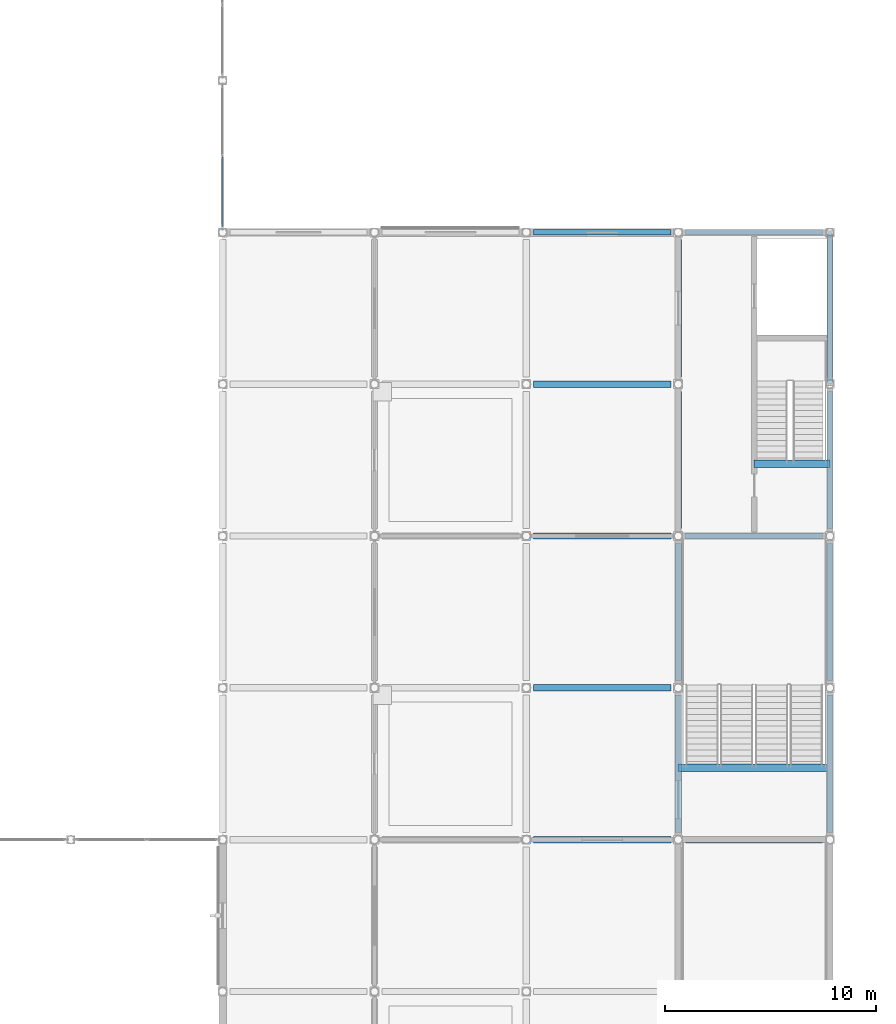
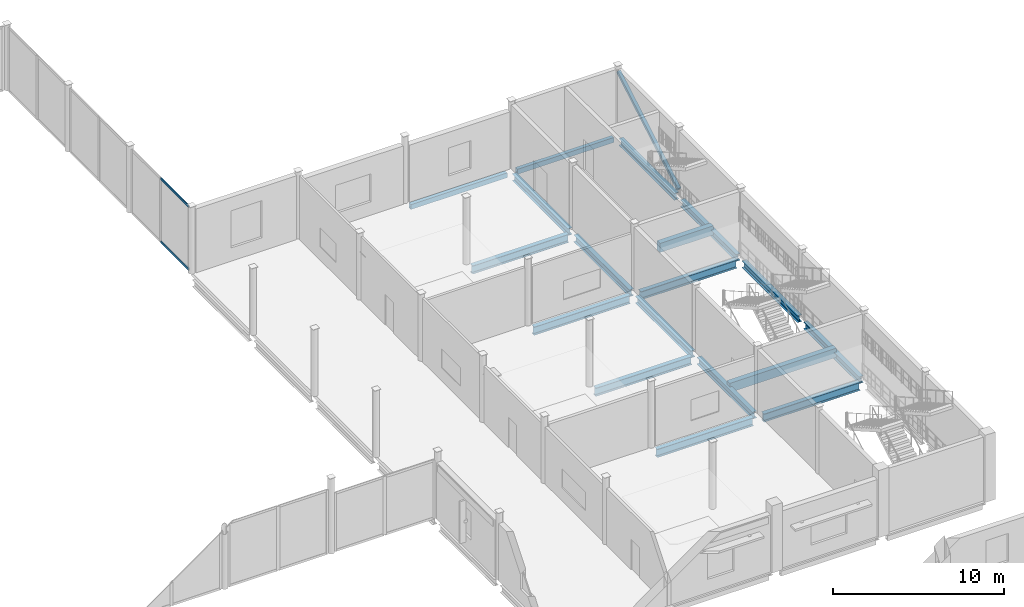
# One storey, part 78 of 120: 18 beams, 3 members, 1 element without a shape of its own.
"""IFC4 building model written with IfcOpenShell, lengths in metres."""

from ifc_helpers import new_model, si_unit, direction, frame, origin, origin_2d, place, context, subcontext, project, spatial, rectangle, hollow_rectangle, i_section, extrude, material, material_profile, profile_set, type_object, element, aggregate, save


model = new_model("IFC4")

# Units and contexts
model_context = context("Model", 3, precision=1e-05, world=origin(), true_north=direction((0.0, 1.0)))
body_context = subcontext(model_context, "Body", "Model", "MODEL_VIEW")
ifc_project = project(units=[si_unit("LENGTHUNIT", "METRE"), si_unit("AREAUNIT", "SQUARE_METRE"), si_unit("VOLUMEUNIT", "CUBIC_METRE"), si_unit("PLANEANGLEUNIT", "RADIAN"), si_unit("MASSUNIT", "GRAM", prefix="KILO")], contexts=[model_context])

# Site, building, storey
site_placement = place(None, origin())
site = spatial("IfcSite", under=ifc_project, at=site_placement, CompositionType="ELEMENT")
building_placement = place(site_placement, origin())
building = spatial("IfcBuilding", under=site, at=building_placement, Name="Vesperath Aquatics Centre", CompositionType="ELEMENT")
storey_placement = place(building_placement, frame((0.0, 0.0, 10.199951171875)))
storey = spatial("IfcBuildingStorey", under=building, at=storey_placement, Name="L02", CompositionType="ELEMENT", Elevation=10.199951171875)

# Beams
ifc_material_1 = material(Name="Concrete C35", Category="concrete")
ifc_material_profile_1 = material_profile(ifc_material_1, rectangle(XDim=0.35009765625, YDim=0.64990234375, at=origin_2d()), Name="RC 350x650")
ifc_profile_set_1 = profile_set([ifc_material_profile_1], Name="Concrete C35")
beam_type_1 = type_object("IfcBeamType", Name="BM-G05", PredefinedType="BEAM", material=ifc_profile_set_1)
beam_1_placement = place(storey_placement, frame((169.199951171875, 82.6201171875, -0.324951171875), z_axis=(1.0, 0.0, 0.0), x_axis=(0.0, 1.0, 0.0)))
element("IfcBeam", 1, at=beam_1_placement, inside=storey, type_object=beam_type_1, Name="Stair ST4 Landing Trimmer Beam B05 L02", PredefinedType="BEAM", context=body_context, shape_type="SweptSolid", body=[
    extrude(rectangle(XDim=0.35009765625, YDim=0.64990234375, at=origin_2d()), origin(), (0.0, 0.0, 1.0), 3.60009765625),
])
beam_2_placement = place(storey_placement, frame((165.60009765625, 68.219970703125, -0.324951171875), z_axis=(1.0, 0.0, 0.0), x_axis=(0.0, 1.0, 0.0)))
element("IfcBeam", 2, at=beam_2_placement, inside=storey, type_object=beam_type_1, Name="Stair ST13 Landing Trimmer Beam B05 L02", PredefinedType="BEAM", context=body_context, shape_type="SweptSolid", body=[
    extrude(rectangle(XDim=0.35009765625, YDim=0.64990234375, at=origin_2d()), origin(), (0.0, 0.0, 1.0), 7.199951171875),
])
ifc_material_2 = material(Name="Steel Q355C", Category="steel")
ifc_material_profile_2 = material_profile(ifc_material_2, i_section(OverallWidth=0.300048828125, OverallDepth=0.587890625, WebThickness=0.011962890625, FlangeThickness=0.02001953125, FilletRadius=0.028076171875, at=origin_2d()), Name="HM 588x300x12x20")
ifc_profile_set_2 = profile_set([ifc_material_profile_2], Name="Steel Q355C")
beam_type_2 = type_object("IfcBeamType", Name="BM-G09", PredefinedType="BEAM", material=ifc_profile_set_2)
for number, where, z_axis, x_axis, name in (
    (3, (158.75, 64.800048828125, -0.553955078125), (1.0, 0.0, 0.0), (0.0, 1.0, 0.0), "Floor Girder B09 L02 K 23-24"),
    (4, (158.75, 72.0, -0.553955078125), (1.0, 0.0, 0.0), (0.0, 1.0, 0.0), "Floor Girder B09 L02 L 23-24"),
    (5, (158.75, 79.199951171875, -0.553955078125), (1.0, 0.0, 0.0), (0.0, 1.0, 0.0), "Floor Girder B09 L02 M 23-24"),
    (6, (158.75, 86.39990234375, -0.553955078125), (1.0, 0.0, 0.0), (0.0, 1.0, 0.0), "Floor Girder B09 L02 N 23-24"),
    (7, (165.949951171875, 64.800048828125, -0.553955078125), (1.0, 0.0, 0.0), (0.0, 1.0, 0.0), "Floor Girder B09 L02 K 24-25"),
    (8, (165.949951171875, 79.199951171875, -0.553955078125), (1.0, 0.0, 0.0), (0.0, 1.0, 0.0), "Floor Girder B09 L02 M 24-25"),
):
    element("IfcBeam", number, at=place(storey_placement, frame(where, z_axis=z_axis, x_axis=x_axis)), inside=storey, type_object=beam_type_2, Name=name, PredefinedType="BEAM", context=body_context, shape_type="SweptSolid", body=[
        extrude(i_section(OverallWidth=0.300048828125, OverallDepth=0.587890625, WebThickness=0.011962890625, FlangeThickness=0.02001953125, FilletRadius=0.028076171875, at=origin_2d()), origin(), (0.0, 0.0, 1.0), 6.5),
    ])
ifc_material_profile_3 = material_profile(ifc_material_2, i_section(OverallWidth=0.300048828125, OverallDepth=0.488037109375, WebThickness=0.010986328125, FlangeThickness=0.01806640625, FilletRadius=0.02587890625, at=origin_2d()), Name="HM 488x300x11x18")
ifc_profile_set_3 = profile_set([ifc_material_profile_3], Name="Steel Q355C")
beam_type_3 = type_object("IfcBeamType", Name="BM-G10", PredefinedType="BEAM", material=ifc_profile_set_3)
for number, where, z_axis, x_axis, name in (
    (9, (165.60009765625, 65.14990234375, -0.50390625), (0.0, 1.0, 0.0), (-1.0, 0.0, 0.0), "Floor Girder B10 L02 24 K-L"),
    (10, (165.60009765625, 72.35009765625, -0.50390625), (0.0, 1.0, 0.0), (-1.0, 0.0, 0.0), "Floor Girder B10 L02 24 L-M"),
    (11, (165.60009765625, 79.550048828125, -0.50390625), (0.0, 1.0, 0.0), (-1.0, 0.0, 0.0), "Floor Girder B10 L02 24 M-N"),
    (12, (165.60009765625, 86.75, -0.50390625), (0.0, 1.0, 0.0), (-1.0, 0.0, 0.0), "Floor Girder B10 L02 24 N-P"),
    (13, (172.800048828125, 65.14990234375, -0.50390625), (0.0, 1.0, 0.0), (-1.0, 0.0, 0.0), "Floor Girder B10 L02 25 K-L"),
    (14, (172.800048828125, 72.35009765625, -0.50390625), (0.0, 1.0, 0.0), (-1.0, 0.0, 0.0), "Floor Girder B10 L02 25 L-M"),
    (15, (172.800048828125, 79.550048828125, -0.50390625), (0.0, 1.0, 0.0), (-1.0, 0.0, 0.0), "Floor Girder B10 L02 25 M-N"),
    (16, (172.800048828125, 86.75, -0.50390625), (0.0, 1.0, 0.0), (-1.0, 0.0, 0.0), "Floor Girder B10 L02 25 N-P"),
):
    element("IfcBeam", number, at=place(storey_placement, frame(where, z_axis=z_axis, x_axis=x_axis)), inside=storey, type_object=beam_type_3, Name=name, PredefinedType="BEAM", context=body_context, shape_type="SweptSolid", body=[
        extrude(i_section(OverallWidth=0.300048828125, OverallDepth=0.488037109375, WebThickness=0.010986328125, FlangeThickness=0.01806640625, FilletRadius=0.02587890625, at=origin_2d()), origin(), (0.0, 0.0, 1.0), 6.5),
    ])
ifc_material_3 = material(Name="Steel Q355D", Category="steel")
ifc_material_profile_4 = material_profile(ifc_material_3, hollow_rectangle(XDim=0.25, YDim=0.35009765625, WallThickness=0.011962890625, at=origin_2d()), Name="RHS 350x250x12")
ifc_profile_set_4 = profile_set([ifc_material_profile_4], Name="Steel Q355D")
beam_type_4 = type_object("IfcBeamType", Name="BM-SP02", PredefinedType="SPANDREL", material=ifc_profile_set_4)
for number, where, z_axis, x_axis, name in (
    (17, (158.75, 93.60009765625, -0.43505859375), (1.0, 0.0, 0.0), (0.0, 1.0, 0.0), "Floor Girder SP02 L02 P 23-24"),
    (18, (165.949951171875, 93.60009765625, -0.43505859375), (1.0, 0.0, 0.0), (0.0, 1.0, 0.0), "Floor Girder SP02 L02 P 24-25"),
):
    element("IfcBeam", number, at=place(storey_placement, frame(where, z_axis=z_axis, x_axis=x_axis)), inside=storey, type_object=beam_type_4, Name=name, PredefinedType="SPANDREL", context=body_context, shape_type="SweptSolid", body=[
        extrude(hollow_rectangle(XDim=0.25, YDim=0.35009765625, WallThickness=0.011962890625, at=origin_2d()), origin(), (0.0, 0.0, 1.0), 6.5),
    ])

# Member
ifc_material_profile_5 = material_profile(ifc_material_3, hollow_rectangle(XDim=0.219970703125, YDim=0.219970703125, WallThickness=0.010009765625, at=origin_2d()), Name="SHS 220x220x10")
ifc_profile_set_5 = profile_set([ifc_material_profile_5], Name="Steel Q355D")
member_type_1 = type_object("IfcMemberType", Name="MB-BR02", PredefinedType="BRACE", material=ifc_profile_set_5)
member_1_placement = place(storey_placement, frame((172.800048828125, 86.468994140625, 0.1904296875), z_axis=(0.0, 0.863785399272, 0.50385988529), x_axis=(-1.0, 0.0, 0.0)))
element("IfcMember", 19, at=member_1_placement, inside=storey, type_object=member_type_1, Name="Lateral Braced Frame Strut C4_E L02", PredefinedType="BRACE", context=body_context, shape_type="SweptSolid", body=[
    extrude(hollow_rectangle(XDim=0.219970703125, YDim=0.219970703125, WallThickness=0.010009765625, at=origin_2d()), origin(), (0.0, 0.0, 1.0), 8.175537109375),
])

# Curtain wall, members
ifc_material_4 = material(Name="Thermally broken anodised bronze aluminium curtain wall", Category="aluminium")
curtain_wall_type = type_object("IfcCurtainWallType", Name="CW-06", PredefinedType="NOTDEFINED", material=ifc_material_4)
curtain_wall_placement = place(storey_placement, origin())
curtain_wall = element("IfcCurtainWall", 20, at=curtain_wall_placement, inside=storey, type_object=curtain_wall_type, Name="Facade Curtain Wall CW06 L02_E_20_13", PredefinedType="NOTDEFINED")
ifc_material_5 = material(Name="Thermally broken anodised aluminium", Category="aluminium")
ifc_material_profile_6 = material_profile(ifc_material_5, hollow_rectangle(XDim=0.070068359375, YDim=0.159912109375, WallThickness=0.0048828125, at=origin_2d()), Name="CWT 70x160x5")
ifc_profile_set_6 = profile_set([ifc_material_profile_6], Name="Thermally broken anodised aluminium")
member_type_2 = type_object("IfcMemberType", Name="MB-CWT2", PredefinedType="USERDEFINED", material=ifc_profile_set_6)
member_2_placement = place(storey_placement, frame((144.0, 93.873291015625, 0.03515625), z_axis=(0.0, 1.0, 0.0), x_axis=(-1.0, 0.0, 0.0)))
member_2 = element("IfcMember", 21, at=member_2_placement, type_object=member_type_2, Name="CW06 transom 1.1", ObjectType="TRANSOM", PredefinedType="USERDEFINED", context=body_context, shape_type="SweptSolid", body=[
    extrude(hollow_rectangle(XDim=0.070068359375, YDim=0.159912109375, WallThickness=0.0048828125, at=origin_2d()), origin(), (0.0, 0.0, 1.0), 3.291748046875),
])
member_3_placement = place(storey_placement, frame((144.0, 93.873291015625, 4.525146484375), z_axis=(0.0, 1.0, 0.0), x_axis=(-1.0, 0.0, 0.0)))
member_3 = element("IfcMember", 22, at=member_3_placement, type_object=member_type_2, Name="CW06 transom 1.2", ObjectType="TRANSOM", PredefinedType="USERDEFINED", context=body_context, shape_type="SweptSolid", body=[
    extrude(hollow_rectangle(XDim=0.070068359375, YDim=0.159912109375, WallThickness=0.0048828125, at=origin_2d()), origin(), (0.0, 0.0, 1.0), 3.291748046875),
])
aggregate(curtain_wall, [member_2, member_3])

save(model, "model.ifc")
